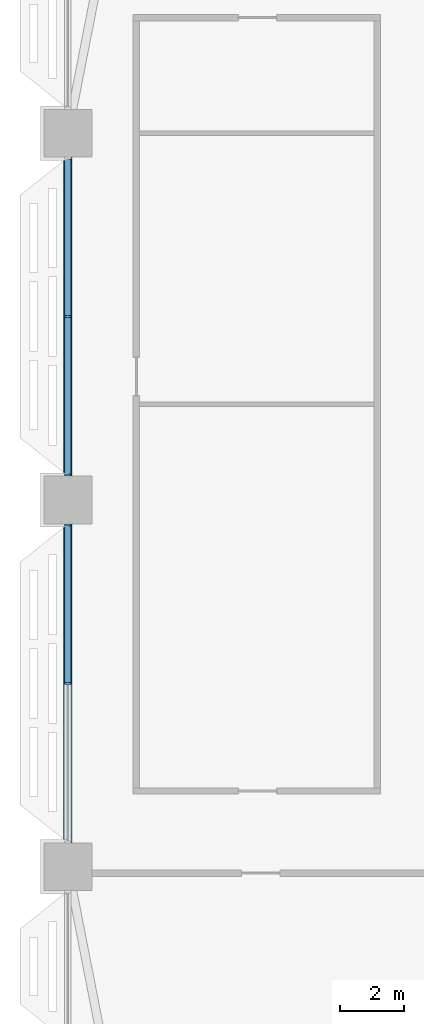
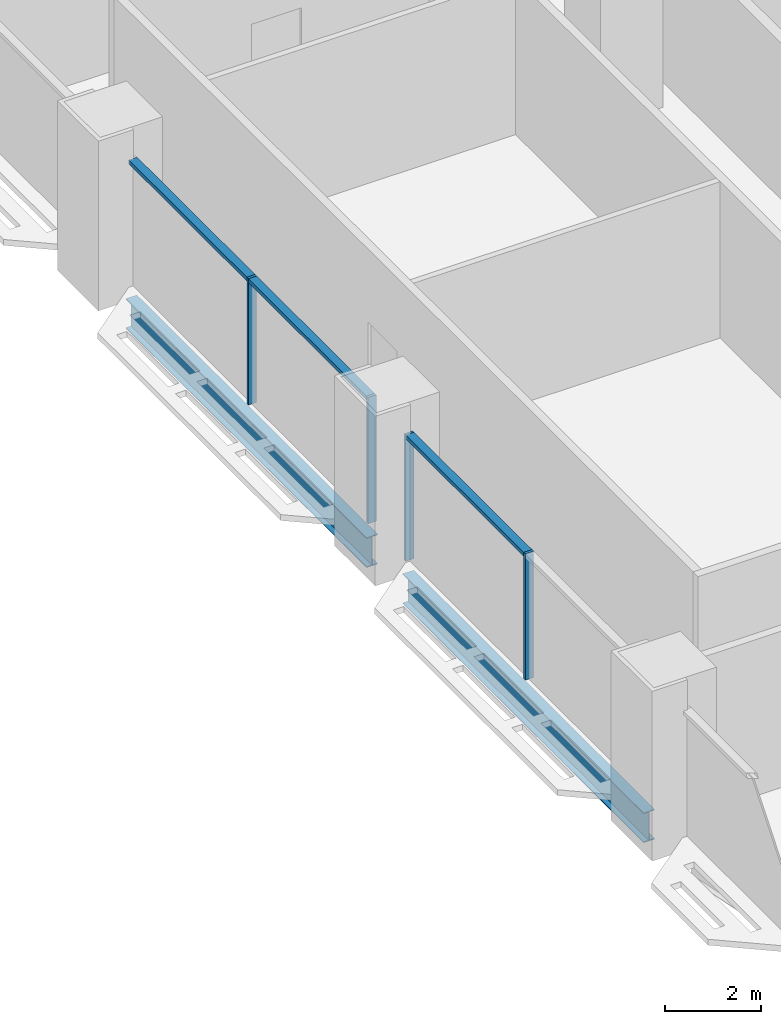
# One storey, part 4 of 30: 7 members, 2 beams, 2 elements without a shape of their own.
"""IFC4 building model written with IfcOpenShell, lengths in metres."""

from ifc_helpers import new_model, si_unit, direction, frame, origin, origin_2d, place, context, subcontext, project, spatial, rectangle, i_section, extrude, material, material_profile, profile_set, type_object, element, aggregate, save


model = new_model("IFC4")

# Units and contexts
model_context = context("Model", 3, precision=1e-05, world=origin(), true_north=direction((0.0, 1.0)))
body_context = subcontext(model_context, "Body", "Model", "MODEL_VIEW")
ifc_project = project(units=[si_unit("LENGTHUNIT", "METRE"), si_unit("AREAUNIT", "SQUARE_METRE"), si_unit("VOLUMEUNIT", "CUBIC_METRE"), si_unit("PLANEANGLEUNIT", "RADIAN"), si_unit("MASSUNIT", "GRAM", prefix="KILO")], contexts=[model_context])

# Site, building, storey
site_placement = place(None, origin())
site = spatial("IfcSite", under=ifc_project, at=site_placement, CompositionType="ELEMENT")
building_placement = place(site_placement, origin())
building = spatial("IfcBuilding", under=site, at=building_placement, Name="Mahtab Terrace Research Tower", CompositionType="ELEMENT")
storey_placement = place(building_placement, frame((0.0, 0.0, 50.300048828125)))
storey = spatial("IfcBuildingStorey", under=building, at=storey_placement, Name="L11", CompositionType="ELEMENT", Elevation=50.300048828125)

# Curtain wall, members
ifc_material_1 = material(Name="Laboratory ribbon curtain wall")
curtain_wall_type = type_object("IfcCurtainWallType", Name="Laboratory ribbon curtain wall", PredefinedType="NOTDEFINED", material=ifc_material_1)
curtain_wall_1_placement = place(storey_placement, origin())
curtain_wall_1 = element("IfcCurtainWall", 1, at=curtain_wall_1_placement, inside=storey, type_object=curtain_wall_type, Name="EN.L11.8.16", PredefinedType="NOTDEFINED")
ifc_material_2 = material(Name="Natural anodised aluminium", Category="aluminium")
ifc_material_profile_1 = material_profile(ifc_material_2, rectangle(XDim=0.199951171875, YDim=0.06494140625, at=origin_2d()), Name="MULLION 65x200")
ifc_profile_set_1 = profile_set([ifc_material_profile_1], Name="Natural anodised aluminium")
member_type_1 = type_object("IfcMemberType", Name="Laboratory ribbon curtain wall mullion", PredefinedType="MULLION", material=ifc_profile_set_1)
member_1_placement = place(storey_placement, frame((-42.0, 5.75, 0.0), z_axis=(0.0, 0.0, 1.0), x_axis=(1.0, 0.0, 0.0)))
member_1 = element("IfcMember", 2, at=member_1_placement, type_object=member_type_1, Name="CWL-2 mullion 2", PredefinedType="MULLION", context=body_context, shape_type="SweptSolid", body=[
    extrude(rectangle(XDim=0.199951171875, YDim=0.06494140625, at=origin_2d()), origin(), (0.0, 0.0, 1.0), 3.203125),
])
member_2_placement = place(storey_placement, frame((-42.0, 0.782470703125, 0.0), z_axis=(0.0, 0.0, 1.0), x_axis=(1.0, 0.0, 0.0)))
member_2 = element("IfcMember", 3, at=member_2_placement, type_object=member_type_1, Name="CWL-2 mullion 3", PredefinedType="MULLION", context=body_context, shape_type="SweptSolid", body=[
    extrude(rectangle(XDim=0.199951171875, YDim=0.06494140625, at=origin_2d()), origin(), (0.0, 0.0, 1.0), 3.203125),
])

curtain_wall_2_placement = place(storey_placement, origin())
curtain_wall_2 = element("IfcCurtainWall", 4, at=curtain_wall_2_placement, inside=storey, type_object=curtain_wall_type, Name="EN.L11.8.17", PredefinedType="NOTDEFINED")
member_3_placement = place(storey_placement, frame((-42.0, -0.782470703125, 0.0), z_axis=(0.0, 0.0, 1.0), x_axis=(1.0, 0.0, 0.0)))
member_3 = element("IfcMember", 5, at=member_3_placement, type_object=member_type_1, Name="CWL-2 mullion 1", PredefinedType="MULLION", context=body_context, shape_type="SweptSolid", body=[
    extrude(rectangle(XDim=0.199951171875, YDim=0.06494140625, at=origin_2d()), origin(), (0.0, 0.0, 1.0), 3.203125),
])
member_4_placement = place(storey_placement, frame((-42.0, -5.75, 0.0), z_axis=(0.0, 0.0, 1.0), x_axis=(1.0, 0.0, 0.0)))
member_4 = element("IfcMember", 6, at=member_4_placement, type_object=member_type_1, Name="CWL-2 mullion 2", PredefinedType="MULLION", context=body_context, shape_type="SweptSolid", body=[
    extrude(rectangle(XDim=0.199951171875, YDim=0.06494140625, at=origin_2d()), origin(), (0.0, 0.0, 1.0), 3.203125),
])

# Member
ifc_material_profile_2 = material_profile(ifc_material_2, rectangle(XDim=0.199951171875, YDim=0.10009765625, at=origin_2d()), Name="TRANSOM 100x200")
ifc_profile_set_2 = profile_set([ifc_material_profile_2], Name="Natural anodised aluminium")
member_type_2 = type_object("IfcMemberType", Name="Laboratory ribbon curtain wall transom", PredefinedType="USERDEFINED", material=ifc_profile_set_2)
member_5_placement = place(storey_placement, frame((-42.0, 10.68505859375, 3.153076171875), z_axis=(0.0, -1.0, 0.0), x_axis=(1.0, 0.0, 0.0)))
member_5 = element("IfcMember", 7, at=member_5_placement, type_object=member_type_2, Name="CWL-2 transom 1", ObjectType="TRANSOM", PredefinedType="USERDEFINED", context=body_context, shape_type="SweptSolid", body=[
    extrude(rectangle(XDim=0.199951171875, YDim=0.10009765625, at=origin_2d()), origin(), (0.0, 0.0, 1.0), 4.902587890625),
])

member_6_placement = place(storey_placement, frame((-42.0, 5.717529296875, 3.153076171875), z_axis=(0.0, -1.0, 0.0), x_axis=(1.0, 0.0, 0.0)))
member_6 = element("IfcMember", 8, at=member_6_placement, type_object=member_type_2, Name="CWL-2 transom 2", ObjectType="TRANSOM", PredefinedType="USERDEFINED", context=body_context, shape_type="SweptSolid", body=[
    extrude(rectangle(XDim=0.199951171875, YDim=0.10009765625, at=origin_2d()), origin(), (0.0, 0.0, 1.0), 4.902587890625),
])

aggregate(curtain_wall_1, [member_1, member_2, member_5, member_6])

member_7_placement = place(storey_placement, frame((-42.0, -0.81494140625, 3.153076171875), z_axis=(0.0, -1.0, 0.0), x_axis=(1.0, 0.0, 0.0)))
member_7 = element("IfcMember", 9, at=member_7_placement, type_object=member_type_2, Name="CWL-2 transom 1", ObjectType="TRANSOM", PredefinedType="USERDEFINED", context=body_context, shape_type="SweptSolid", body=[
    extrude(rectangle(XDim=0.199951171875, YDim=0.10009765625, at=origin_2d()), origin(), (0.0, 0.0, 1.0), 4.902587890625),
])

aggregate(curtain_wall_2, [member_3, member_4, member_7])

# Beams
ifc_material_3 = material(Name="Steel ASTM A992 Gr 50", Category="steel")
ifc_material_profile_3 = material_profile(ifc_material_3, i_section(OverallWidth=0.2666015625, OverallDepth=0.7568359375, WebThickness=0.013916015625, FlangeThickness=0.019287109375, at=origin_2d()), Name="W30X108")
ifc_profile_set_3 = profile_set([ifc_material_profile_3], Name="Steel ASTM A992 Gr 50")
beam_type = type_object("IfcBeamType", Name="W30x108 beam BS30108", PredefinedType="BEAM", material=ifc_profile_set_3)
for number, where, z_axis, x_axis, name in (
    (10, (-42.0, 10.75, -0.718505859375), (0.0, -1.0, 0.0), (1.0, 0.0, 0.0), "Spandrel beam L11 10"),
    (11, (-42.0, -0.75, -0.718505859375), (0.0, -1.0, 0.0), (1.0, 0.0, 0.0), "Spandrel beam L11 11"),
):
    element("IfcBeam", number, at=place(storey_placement, frame(where, z_axis=z_axis, x_axis=x_axis)), inside=storey, type_object=beam_type, Name=name, PredefinedType="BEAM", context=body_context, shape_type="SweptSolid", body=[
        extrude(i_section(OverallWidth=0.2666015625, OverallDepth=0.7568359375, WebThickness=0.013916015625, FlangeThickness=0.019287109375, at=origin_2d()), origin(), (0.0, 0.0, 1.0), 10.0),
    ])

save(model, "model.ifc")
